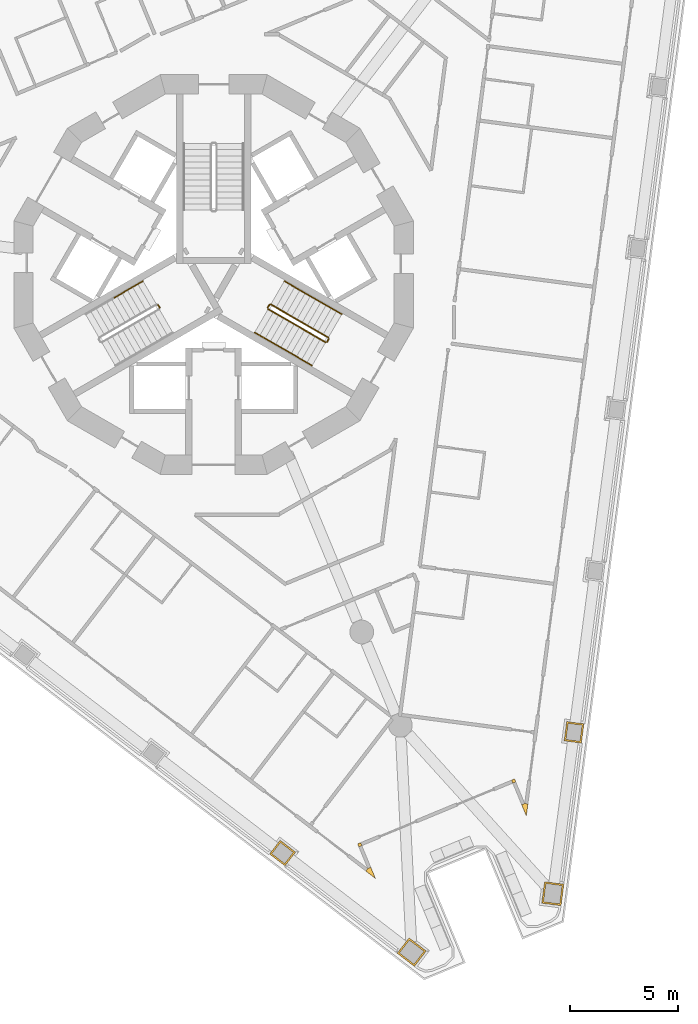
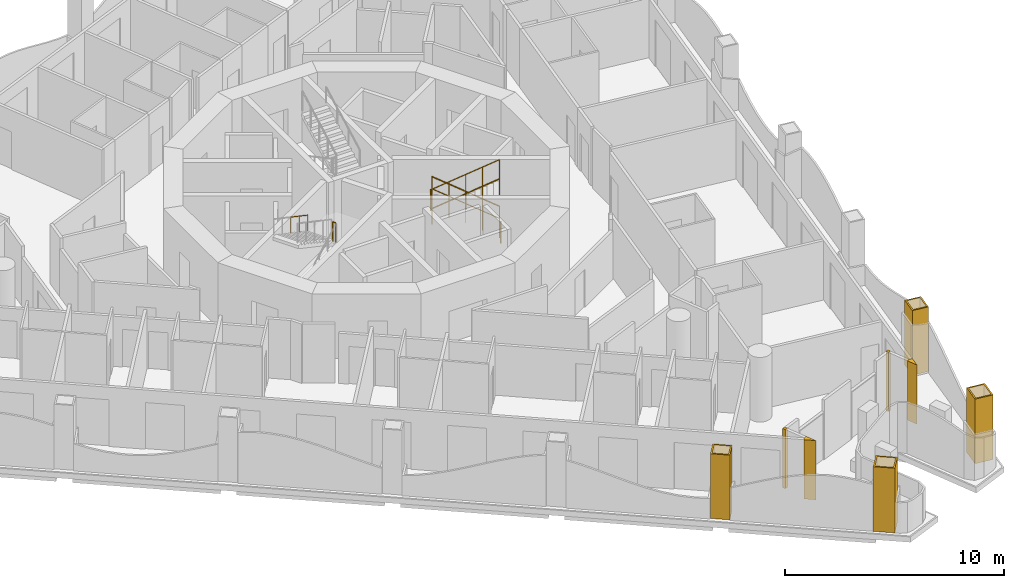
# One storey, part 13 of 17: 10 railings, 8 coverings.
"""IFC4 building model written with IfcOpenShell, lengths in metres."""

from ifc_helpers import new_model, si_unit, direction, frame, origin, origin_2d, place, context, subcontext, project, spatial, polyline, circle, outline, extrude, material, layer, layer_set, type_object, element, save


model = new_model("IFC4")

# Units and contexts
model_context = context("Model", 3, precision=1e-05, world=origin(), true_north=direction((0.0, 1.0)))
body_context = subcontext(model_context, "Body", "Model", "MODEL_VIEW")
ifc_project = project(units=[si_unit("LENGTHUNIT", "METRE"), si_unit("AREAUNIT", "SQUARE_METRE"), si_unit("VOLUMEUNIT", "CUBIC_METRE"), si_unit("PLANEANGLEUNIT", "RADIAN"), si_unit("MASSUNIT", "GRAM", prefix="KILO")], contexts=[model_context])

# Site, building, storey
site_placement = place(None, origin())
site = spatial("IfcSite", under=ifc_project, at=site_placement, CompositionType="ELEMENT")
building_placement = place(site_placement, origin())
building = spatial("IfcBuilding", under=site, at=building_placement, Name="Trine Commons Tower", CompositionType="ELEMENT")
storey_placement = place(building_placement, frame((0.0, 0.0, 135.0)))
storey = spatial("IfcBuildingStorey", under=building, at=storey_placement, Name="L34", CompositionType="ELEMENT", Elevation=135.0)

# Coverings
ifc_material_1 = material(Name="Aluminium-framed insulated wall panel", Category="aluminium")
ifc_layer_1 = layer(ifc_material_1, 0.14990234375)
ifc_layer_set_1 = layer_set([ifc_layer_1], Name="Aluminium-framed insulated wall panel")
covering_type_1 = type_object("IfcCoveringType", Name="Glazing corner post, aluminium", PredefinedType="CLADDING", material=ifc_layer_set_1)
covering_1_placement = place(storey_placement, origin())
element("IfcCovering", 1, at=covering_1_placement, inside=storey, type_object=covering_type_1, Name="Glazing corner post 4-09", PredefinedType="CLADDING", context=body_context, shape_type="SweptSolid", body=[
    extrude(outline(polyline([(94.2939453125, 37.89501953125), (94.50830078125, 37.377685546875), (94.581298828125, 37.932861328125), (94.4326171875, 37.952392578125), (94.4326171875, 37.952392578125), (94.2939453125, 37.89501953125)])), origin(), (0.0, 0.0, 1.0), 3.300048828125),
])
covering_2_placement = place(storey_placement, origin())
element("IfcCovering", 2, at=covering_2_placement, inside=storey, type_object=covering_type_1, Name="Glazing corner post 4-10", PredefinedType="CLADDING", context=body_context, shape_type="SweptSolid", body=[
    extrude(outline(polyline([(93.821044921875, 39.03662109375), (93.87841796875, 38.89794921875), (93.87841796875, 38.89794921875), (94.01708984375, 38.955322265625), (93.959716796875, 39.093994140625), (93.821044921875, 39.03662109375)])), origin(), (0.0, 0.0, 1.0), 3.300048828125),
])
covering_3_placement = place(storey_placement, origin())
element("IfcCovering", 3, at=covering_3_placement, inside=storey, type_object=covering_type_1, Name="Glazing corner post 4-11", PredefinedType="CLADDING", context=body_context, shape_type="SweptSolid", body=[
    extrude(outline(polyline([(86.73681640625, 35.93994140625), (86.87548828125, 35.997314453125), (86.818115234375, 36.135986328125), (86.679443359375, 36.07861328125), (86.73681640625, 35.93994140625)])), origin(), (0.0, 0.0, 1.0), 3.300048828125),
])
covering_4_placement = place(storey_placement, origin())
element("IfcCovering", 4, at=covering_4_placement, inside=storey, type_object=covering_type_1, Name="Glazing corner post 4-12", PredefinedType="CLADDING", context=body_context, shape_type="SweptSolid", body=[
    extrude(outline(polyline([(87.06103515625, 34.81787109375), (87.505126953125, 34.47705078125), (87.291015625, 34.994140625), (87.15234375, 34.936767578125), (87.06103515625, 34.81787109375)])), origin(), (0.0, 0.0, 1.0), 3.300048828125),
])
ifc_material_2 = material(Name="Limestone, honed", Category="masonry")
ifc_layer_2 = layer(ifc_material_2, 0.074951171875)
ifc_layer_set_2 = layer_set([ifc_layer_2], Name="Limestone, honed")
covering_type_2 = type_object("IfcCoveringType", Name="Limestone column cladding 75", PredefinedType="CLADDING", material=ifc_layer_set_2)
covering_5_placement = place(storey_placement, origin())
element("IfcCovering", 5, at=covering_5_placement, inside=storey, type_object=covering_type_2, Name="Limestone pier cladding 4-01", PredefinedType="CLADDING", context=body_context, shape_type="SweptSolid", body=[
    extrude(outline(polyline([(89.065673828125, 31.716796875), (88.517578125, 31.002685546875), (89.31103515625, 30.39404296875), (89.85888671875, 31.10791015625), (89.065673828125, 31.716796875)]), holes=[polyline([(89.079345703125, 31.611572265625), (88.622802734375, 31.0166015625), (89.297119140625, 30.499267578125), (89.75390625, 31.09423828125), (89.079345703125, 31.611572265625)])]), origin(), (0.0, 0.0, 1.0), 3.60009765625),
])
covering_6_placement = place(storey_placement, origin())
element("IfcCovering", 6, at=covering_6_placement, inside=storey, type_object=covering_type_2, Name="Limestone pier cladding 4-02", PredefinedType="CLADDING", context=body_context, shape_type="SweptSolid", body=[
    extrude(outline(polyline([(83.08349609375, 36.243896484375), (82.596435546875, 35.609375), (83.310302734375, 35.061279296875), (83.79736328125, 35.696044921875), (83.08349609375, 36.243896484375)]), holes=[polyline([(83.09716796875, 36.138916015625), (82.701416015625, 35.623046875), (83.296630859375, 35.16650390625), (83.6923828125, 35.682373046875), (83.09716796875, 36.138916015625)])]), origin(), (0.0, 0.0, 1.0), 3.60009765625),
])
covering_7_placement = place(storey_placement, origin())
element("IfcCovering", 7, at=covering_7_placement, inside=storey, type_object=covering_type_2, Name="Limestone pier cladding 4-23", PredefinedType="CLADDING", context=body_context, shape_type="SweptSolid", body=[
    extrude(outline(polyline([(97.1787109375, 41.6494140625), (96.385498046875, 41.75390625), (96.26806640625, 40.86181640625), (97.06103515625, 40.757080078125), (97.1787109375, 41.6494140625)]), holes=[polyline([(97.094482421875, 41.5849609375), (96.449951171875, 41.669921875), (96.35205078125, 40.92626953125), (96.99658203125, 40.84130859375), (97.094482421875, 41.5849609375)])]), origin(), (0.0, 0.0, 1.0), 3.60009765625),
])
covering_8_placement = place(storey_placement, origin())
element("IfcCovering", 8, at=covering_8_placement, inside=storey, type_object=covering_type_2, Name="Limestone pier cladding 4-24", PredefinedType="CLADDING", context=body_context, shape_type="SweptSolid", body=[
    extrude(outline(polyline([(96.2490234375, 34.205078125), (95.356689453125, 34.32275390625), (95.226318359375, 33.331298828125), (96.118408203125, 33.213623046875), (96.2490234375, 34.205078125)]), holes=[polyline([(96.164794921875, 34.140625), (95.42138671875, 34.238525390625), (95.310302734375, 33.395751953125), (96.053955078125, 33.2978515625), (96.164794921875, 34.140625)])]), origin(), (0.0, 0.0, 1.0), 3.60009765625),
])

# Railings
ifc_material_3 = material(Name="Stainless steel balustrade", Category="steel")
railing_type_1 = type_object("IfcRailingType", Name="Stair guard, steel balustrade 1100", PredefinedType="GUARDRAIL", material=ifc_material_3)
railing_1_placement = place(storey_placement, frame((77.490966796875, 60.96484375, 1.800048828125)))
element("IfcRailing", 9, at=railing_1_placement, inside=storey, type_object=railing_type_1, Name="L34 ST2B stair guard 2", PredefinedType="GUARDRAIL", context=body_context, shape_type="SweptSolid", body=[
    extrude(circle(Radius=0.02392578125, at=origin_2d()), frame((0.0, 0.0, 1.076171875), z_axis=(-0.501036270542, 0.865426285481, 0.0), x_axis=(-0.865426285481, -0.501036270542, 0.0)), (0.0, 0.0, 1.0), 0.150146484375),
    extrude(circle(Radius=0.02099609375, at=origin_2d()), origin(), (0.0, 0.0, 1.0), 1.052001953125),
    extrude(circle(Radius=0.02099609375, at=origin_2d()), frame((-0.0751953125, 0.1298828125, 0.0)), (0.0, 0.0, 1.0), 1.052001953125),
])
railing_2_placement = place(storey_placement, frame((85.31982421875, 59.572998046875, 0.14990234375)))
element("IfcRailing", 10, at=railing_2_placement, inside=storey, type_object=railing_type_1, Name="L34 ST3B stair guard 1", PredefinedType="GUARDRAIL", context=body_context, shape_type="SweptSolid", body=[
    extrude(circle(Radius=0.02392578125, at=origin_2d()), frame((0.0, 0.0, 1.076171875), z_axis=(-0.763379768245, 0.440728498818, 0.472239049384), x_axis=(-0.499992328818, -0.866029832698, 0.0)), (0.0, 0.0, 1.0), 3.494384765625),
    extrude(circle(Radius=0.02099609375, at=origin_2d()), origin(), (0.0, 0.0, 1.0), 1.052001953125),
    extrude(circle(Radius=0.02099609375, at=origin_2d()), frame((-0.6669921875, 0.385009765625, 0.41259765625)), (0.0, 0.0, 1.0), 1.052001953125),
    extrude(circle(Radius=0.02099609375, at=origin_2d()), frame((-1.333740234375, 0.77001953125, 0.8251953125)), (0.0, 0.0, 1.0), 1.052001953125),
    extrude(circle(Radius=0.02099609375, at=origin_2d()), frame((-2.00048828125, 1.155029296875, 1.237548828125)), (0.0, 0.0, 1.0), 1.052001953125),
    extrude(circle(Radius=0.02099609375, at=origin_2d()), frame((-2.66748046875, 1.5400390625, 1.650146484375)), (0.0, 0.0, 1.0), 1.052001953125),
])
railing_3_placement = place(storey_placement, frame((82.584228515625, 61.0947265625, 1.800048828125)))
element("IfcRailing", 11, at=railing_3_placement, inside=storey, type_object=railing_type_1, Name="L34 ST3B stair guard 2", PredefinedType="GUARDRAIL", context=body_context, shape_type="SweptSolid", body=[
    extrude(circle(Radius=0.02392578125, at=origin_2d()), frame((0.0, 0.0, 1.076171875), z_axis=(-0.501036270542, -0.865426285481, 0.0), x_axis=(0.865426285481, -0.501036270542, 0.0)), (0.0, 0.0, 1.0), 0.150146484375),
    extrude(circle(Radius=0.02099609375, at=origin_2d()), origin(), (0.0, 0.0, 1.0), 1.052001953125),
    extrude(circle(Radius=0.02099609375, at=origin_2d()), frame((-0.0751953125, -0.1298828125, 0.0)), (0.0, 0.0, 1.0), 1.052001953125),
])
railing_4_placement = place(storey_placement, frame((82.52734375, 60.896484375, 1.949951171875)))
element("IfcRailing", 12, at=railing_4_placement, inside=storey, type_object=railing_type_1, Name="L34 ST3B stair guard 3", PredefinedType="GUARDRAIL", context=body_context, shape_type="SweptSolid", body=[
    extrude(circle(Radius=0.02392578125, at=origin_2d()), frame((0.0, 0.0, 1.076171875), z_axis=(0.763379768245, -0.440728498818, 0.472239049384), x_axis=(0.499992328818, 0.866029832698, 0.0)), (0.0, 0.0, 1.0), 3.494384765625),
    extrude(circle(Radius=0.02099609375, at=origin_2d()), origin(), (0.0, 0.0, 1.0), 1.052001953125),
    extrude(circle(Radius=0.02099609375, at=origin_2d()), frame((0.6669921875, -0.385009765625, 0.41259765625)), (0.0, 0.0, 1.0), 1.052001953125),
    extrude(circle(Radius=0.02099609375, at=origin_2d()), frame((1.333740234375, -0.77001953125, 0.8251953125)), (0.0, 0.0, 1.0), 1.052001953125),
    extrude(circle(Radius=0.02099609375, at=origin_2d()), frame((2.00048828125, -1.155029296875, 1.237548828125)), (0.0, 0.0, 1.0), 1.052001953125),
    extrude(circle(Radius=0.02099609375, at=origin_2d()), frame((2.66748046875, -1.5400390625, 1.650146484375)), (0.0, 0.0, 1.0), 1.052001953125),
])
railing_5_placement = place(storey_placement, frame((85.338134765625, 59.504638671875, 0.0)))
element("IfcRailing", 13, at=railing_5_placement, inside=storey, type_object=railing_type_1, Name="L34 ST3B stair guard 4", PredefinedType="GUARDRAIL", context=body_context, shape_type="SweptSolid", body=[
    extrude(circle(Radius=0.02392578125, at=origin_2d()), frame((0.0, 0.0, 1.076171875), z_axis=(-0.499816412211, -0.866131372301, 0.0), x_axis=(0.866131372301, -0.499816412211, 0.0)), (0.0, 0.0, 1.0), 0.14990234375),
    extrude(circle(Radius=0.02099609375, at=origin_2d()), origin(), (0.0, 0.0, 1.0), 1.052001953125),
    extrude(circle(Radius=0.02099609375, at=origin_2d()), frame((-0.074951171875, -0.1298828125, 0.0)), (0.0, 0.0, 1.0), 1.052001953125),
])
ifc_material_4 = material(Name="Stainless steel handrail", Category="steel")
railing_type_2 = type_object("IfcRailingType", Name="Stair handrail, steel 900", PredefinedType="HANDRAIL", material=ifc_material_4)
railing_6_placement = place(storey_placement, frame((76.72265625, 62.195556640625, 1.949951171875)))
element("IfcRailing", 14, at=railing_6_placement, inside=storey, type_object=railing_type_2, Name="L34 ST2B stair handrail 3", PredefinedType="HANDRAIL", context=body_context, shape_type="SweptSolid", body=[
    extrude(circle(Radius=0.02099609375, at=origin_2d()), frame((0.0, 0.0, 0.87890625), z_axis=(-0.76340495495, -0.440743040072, 0.472184759798), x_axis=(0.499992328818, -0.866029832698, 0.0)), (0.0, 0.0, 1.0), 1.7470703125),
    extrude(circle(Radius=0.01513671875, at=origin_2d()), origin(), (0.0, 0.0, 1.0), 0.85791015625),
    extrude(circle(Radius=0.01513671875, at=origin_2d()), frame((-0.6669921875, -0.385009765625, 0.41259765625)), (0.0, 0.0, 1.0), 0.85791015625),
    extrude(circle(Radius=0.01513671875, at=origin_2d()), frame((-1.333740234375, -0.77001953125, 0.824951171875)), (0.0, 0.0, 1.0), 0.85791015625),
])
railing_7_placement = place(storey_placement, frame((85.94482421875, 60.655517578125, 0.14990234375)))
element("IfcRailing", 15, at=railing_7_placement, inside=storey, type_object=railing_type_2, Name="L34 ST3B stair handrail 1", PredefinedType="HANDRAIL", context=body_context, shape_type="SweptSolid", body=[
    extrude(circle(Radius=0.02099609375, at=origin_2d()), frame((0.0, 0.0, 0.87890625), z_axis=(-0.763354580307, 0.440713956853, 0.472293333596), x_axis=(-0.499992328818, -0.866029832698, 0.0)), (0.0, 0.0, 1.0), 1.747314453125),
    extrude(circle(Radius=0.01513671875, at=origin_2d()), origin(), (0.0, 0.0, 1.0), 0.85791015625),
    extrude(circle(Radius=0.01513671875, at=origin_2d()), frame((-0.6669921875, 0.385009765625, 0.41259765625)), (0.0, 0.0, 1.0), 0.85791015625),
    extrude(circle(Radius=0.01513671875, at=origin_2d()), frame((-1.333740234375, 0.77001953125, 0.8251953125)), (0.0, 0.0, 1.0), 0.85791015625),
])
railing_8_placement = place(storey_placement, frame((84.611083984375, 61.425537109375, 0.97509765625)))
element("IfcRailing", 16, at=railing_8_placement, inside=storey, type_object=railing_type_2, Name="L34 ST3B stair handrail 2", PredefinedType="HANDRAIL", context=body_context, shape_type="SweptSolid", body=[
    extrude(circle(Radius=0.02099609375, at=origin_2d()), frame((0.0, 0.0, 0.87890625), z_axis=(-0.76340495495, 0.440743040072, 0.472184759798), x_axis=(-0.499992328818, -0.866029832698, 0.0)), (0.0, 0.0, 1.0), 1.7470703125),
    extrude(circle(Radius=0.01513671875, at=origin_2d()), origin(), (0.0, 0.0, 1.0), 0.85791015625),
    extrude(circle(Radius=0.01513671875, at=origin_2d()), frame((-0.6669921875, 0.385009765625, 0.41259765625)), (0.0, 0.0, 1.0), 0.85791015625),
    extrude(circle(Radius=0.01513671875, at=origin_2d()), frame((-1.333740234375, 0.77001953125, 0.824951171875)), (0.0, 0.0, 1.0), 0.85791015625),
])
railing_9_placement = place(storey_placement, frame((81.90234375, 59.81396484375, 1.949951171875)))
element("IfcRailing", 17, at=railing_9_placement, inside=storey, type_object=railing_type_2, Name="L34 ST3B stair handrail 3", PredefinedType="HANDRAIL", context=body_context, shape_type="SweptSolid", body=[
    extrude(circle(Radius=0.02099609375, at=origin_2d()), frame((0.0, 0.0, 0.87890625), z_axis=(0.76340495495, -0.440743040072, 0.472184759798), x_axis=(0.499992328818, 0.866029832698, 0.0)), (0.0, 0.0, 1.0), 1.7470703125),
    extrude(circle(Radius=0.01513671875, at=origin_2d()), origin(), (0.0, 0.0, 1.0), 0.85791015625),
    extrude(circle(Radius=0.01513671875, at=origin_2d()), frame((0.6669921875, -0.385009765625, 0.41259765625)), (0.0, 0.0, 1.0), 0.85791015625),
    extrude(circle(Radius=0.01513671875, at=origin_2d()), frame((1.333740234375, -0.77001953125, 0.824951171875)), (0.0, 0.0, 1.0), 0.85791015625),
])
railing_10_placement = place(storey_placement, frame((83.236083984375, 59.0439453125, 2.77490234375)))
element("IfcRailing", 18, at=railing_10_placement, inside=storey, type_object=railing_type_2, Name="L34 ST3B stair handrail 4", PredefinedType="HANDRAIL", context=body_context, shape_type="SweptSolid", body=[
    extrude(circle(Radius=0.02099609375, at=origin_2d()), frame((0.0, 0.0, 0.87890625), z_axis=(0.763354580307, -0.440713956853, 0.472293333596), x_axis=(0.499992328818, 0.866029832698, 0.0)), (0.0, 0.0, 1.0), 1.747314453125),
    extrude(circle(Radius=0.01513671875, at=origin_2d()), origin(), (0.0, 0.0, 1.0), 0.85791015625),
    extrude(circle(Radius=0.01513671875, at=origin_2d()), frame((0.6669921875, -0.385009765625, 0.41259765625)), (0.0, 0.0, 1.0), 0.85791015625),
    extrude(circle(Radius=0.01513671875, at=origin_2d()), frame((1.333740234375, -0.77001953125, 0.8251953125)), (0.0, 0.0, 1.0), 0.85791015625),
])

save(model, "model.ifc")
